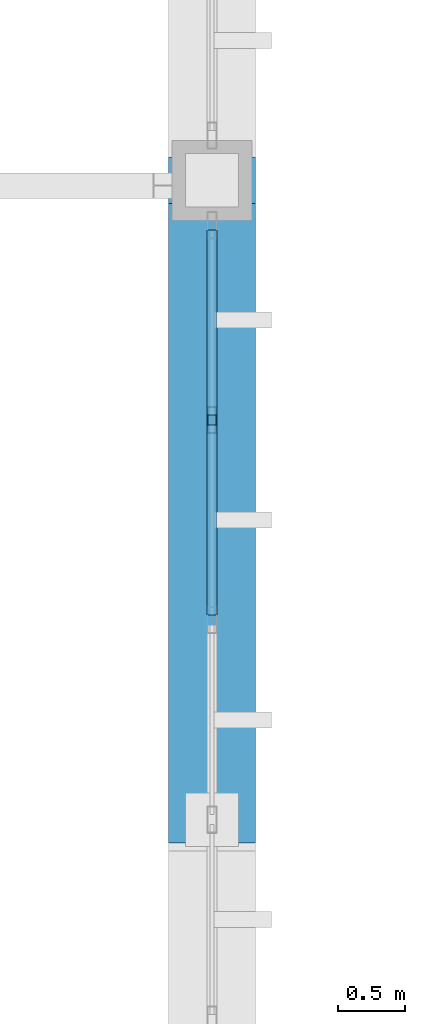
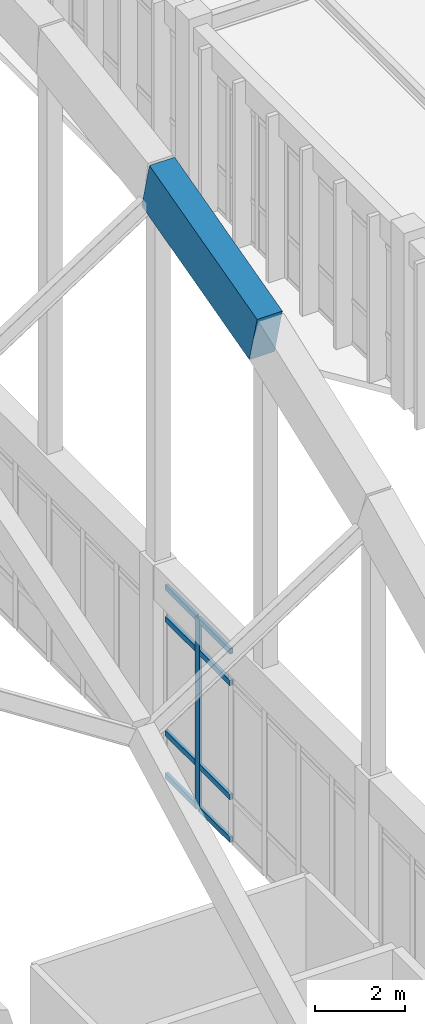
# One storey, part 131 of 236: 10 members, 1 element without a shape of its own.
"""IFC4 building model written with IfcOpenShell, lengths in metres."""

from ifc_helpers import new_model, si_unit, direction, frame, origin, origin_2d, place, context, subcontext, project, spatial, rectangle, hollow_rectangle, extrude, material, layer, layer_set, material_profile, profile_set, type_object, element, aggregate, save


model = new_model("IFC4")

# Units and contexts
model_context = context("Model", 3, precision=1e-05, world=origin(), true_north=direction((0.0, 1.0)))
body_context = subcontext(model_context, "Body", "Model", "MODEL_VIEW")
ifc_project = project(units=[si_unit("LENGTHUNIT", "METRE"), si_unit("AREAUNIT", "SQUARE_METRE"), si_unit("VOLUMEUNIT", "CUBIC_METRE"), si_unit("PLANEANGLEUNIT", "RADIAN"), si_unit("MASSUNIT", "GRAM", prefix="KILO")], contexts=[model_context])

# Site, building, storey
site_placement = place(None, origin())
site = spatial("IfcSite", under=ifc_project, at=site_placement, CompositionType="ELEMENT")
building_placement = place(site_placement, origin())
building = spatial("IfcBuilding", under=site, at=building_placement, Name="Pandanus Reach Market Hall", CompositionType="ELEMENT")
storey_placement = place(building_placement, frame((0.0, 0.0, 5.39990234375)))
storey = spatial("IfcBuildingStorey", under=building, at=storey_placement, Name="L01", CompositionType="ELEMENT", Elevation=5.39990234375)

# Member
ifc_material_1 = material(Name="Concrete N50 (50 MPa)", Category="concrete")
ifc_material_profile_1 = material_profile(ifc_material_1, rectangle(XDim=0.64990234375, YDim=1.35009765625, at=origin_2d()), Name="RC650x1350", Category="LoadBearing")
ifc_profile_set_1 = profile_set([ifc_material_profile_1], Name="Concrete N50 (50 MPa)")
member_type_1 = type_object("IfcMemberType", Name="AR-RC650-E", PredefinedType="CHORD", material=ifc_profile_set_1)
member_1_placement = place(storey_placement, frame((132.0, 43.199951171875, 14.68017578125), z_axis=(0.0, 0.966344166189, 0.257252701584), x_axis=(-1.0, 0.0, 0.0)))
element("IfcMember", 1, at=member_1_placement, inside=storey, type_object=member_type_1, Name="Parabolic arch top chord A8.4", PredefinedType="CHORD", context=body_context, shape_type="SweptSolid", body=[
    extrude(rectangle(XDim=0.64990234375, YDim=1.35009765625, at=origin_2d()), origin(), (0.0, 0.0, 1.0), 4.96728515625),
])

# Curtain wall, members
ifc_material_2 = material(Name="Bronze anodised aluminium and low-E glass", Category="aluminium")
ifc_layer = layer(ifc_material_2, 0.199951171875, Name="CW-05")
ifc_layer_set = layer_set([ifc_layer], Name="Bronze anodised aluminium and low-E glass")
curtain_wall_type = type_object("IfcCurtainWallType", Name="CW-05", PredefinedType="NOTDEFINED", material=ifc_layer_set)
curtain_wall_placement = place(storey_placement, origin())
curtain_wall = element("IfcCurtainWall", 2, at=curtain_wall_placement, inside=storey, type_object=curtain_wall_type, Name="Glazed curtain wall CW-05 CW-0023", PredefinedType="NOTDEFINED")
ifc_material_3 = material(Name="Bronze anodised aluminium", Category="aluminium")
ifc_material_profile_2 = material_profile(ifc_material_3, hollow_rectangle(XDim=0.074951171875, YDim=0.199951171875, WallThickness=0.00439453125, at=origin_2d()), Name="ALU75x200", Category="LoadBearing")
ifc_profile_set_2 = profile_set([ifc_material_profile_2], Name="Bronze anodised aluminium")
member_type_2 = type_object("IfcMemberType", Name="CW-M2", PredefinedType="MULLION", material=ifc_profile_set_2)
member_2_placement = place(storey_placement, frame((132.0, 46.199951171875, 0.0), z_axis=(0.0, 0.0, 1.0), x_axis=(-1.0, 0.0, 0.0)))
member_2 = element("IfcMember", 3, at=member_2_placement, type_object=member_type_2, Name="CW-05 mullion 6", PredefinedType="MULLION", context=body_context, shape_type="SweptSolid", body=[
    extrude(hollow_rectangle(XDim=0.074951171875, YDim=0.199951171875, WallThickness=0.00439453125, at=origin_2d()), origin(), (0.0, 0.0, 1.0), 5.2001953125),
])
ifc_material_profile_3 = material_profile(ifc_material_3, hollow_rectangle(XDim=0.074951171875, YDim=0.14990234375, WallThickness=0.00439453125, at=origin_2d()), Name="ALU75x150", Category="LoadBearing")
ifc_profile_set_3 = profile_set([ifc_material_profile_3], Name="Bronze anodised aluminium")
member_type_3 = type_object("IfcMemberType", Name="CW-T2", PredefinedType="USERDEFINED", material=ifc_profile_set_3)
member_3_placement = place(storey_placement, frame((132.0, 44.737548828125, 0.03759765625), z_axis=(0.0, 1.0, 0.0), x_axis=(-1.0, 0.0, 0.0)))
member_3 = element("IfcMember", 4, at=member_3_placement, type_object=member_type_3, Name="CW-05 transom 5.1", ObjectType="TRANSOM", PredefinedType="USERDEFINED", context=body_context, shape_type="SweptSolid", body=[
    extrude(hollow_rectangle(XDim=0.074951171875, YDim=0.14990234375, WallThickness=0.00439453125, at=origin_2d()), origin(), (0.0, 0.0, 1.0), 1.425048828125),
])
member_4_placement = place(storey_placement, frame((132.0, 44.737548828125, 1.2001953125), z_axis=(0.0, 1.0, 0.0), x_axis=(-1.0, 0.0, 0.0)))
member_4 = element("IfcMember", 5, at=member_4_placement, type_object=member_type_3, Name="CW-05 transom 5.2", ObjectType="TRANSOM", PredefinedType="USERDEFINED", context=body_context, shape_type="SweptSolid", body=[
    extrude(hollow_rectangle(XDim=0.074951171875, YDim=0.14990234375, WallThickness=0.00439453125, at=origin_2d()), origin(), (0.0, 0.0, 1.0), 1.425048828125),
])
member_5_placement = place(storey_placement, frame((132.0, 44.737548828125, 4.300048828125), z_axis=(0.0, 1.0, 0.0), x_axis=(-1.0, 0.0, 0.0)))
member_5 = element("IfcMember", 6, at=member_5_placement, type_object=member_type_3, Name="CW-05 transom 5.3", ObjectType="TRANSOM", PredefinedType="USERDEFINED", context=body_context, shape_type="SweptSolid", body=[
    extrude(hollow_rectangle(XDim=0.074951171875, YDim=0.14990234375, WallThickness=0.00439453125, at=origin_2d()), origin(), (0.0, 0.0, 1.0), 1.425048828125),
])
member_6_placement = place(storey_placement, frame((132.0, 44.737548828125, 5.16259765625), z_axis=(0.0, 1.0, 0.0), x_axis=(-1.0, 0.0, 0.0)))
member_6 = element("IfcMember", 7, at=member_6_placement, type_object=member_type_3, Name="CW-05 transom 5.4", ObjectType="TRANSOM", PredefinedType="USERDEFINED", context=body_context, shape_type="SweptSolid", body=[
    extrude(hollow_rectangle(XDim=0.074951171875, YDim=0.14990234375, WallThickness=0.00439453125, at=origin_2d()), origin(), (0.0, 0.0, 1.0), 1.425048828125),
])
member_7_placement = place(storey_placement, frame((132.0, 46.237548828125, 0.03759765625), z_axis=(0.0, 1.0, 0.0), x_axis=(-1.0, 0.0, 0.0)))
member_7 = element("IfcMember", 8, at=member_7_placement, type_object=member_type_3, Name="CW-05 transom 6.1", ObjectType="TRANSOM", PredefinedType="USERDEFINED", context=body_context, shape_type="SweptSolid", body=[
    extrude(hollow_rectangle(XDim=0.074951171875, YDim=0.14990234375, WallThickness=0.00439453125, at=origin_2d()), origin(), (0.0, 0.0, 1.0), 1.387451171875),
])
member_8_placement = place(storey_placement, frame((132.0, 46.237548828125, 1.2001953125), z_axis=(0.0, 1.0, 0.0), x_axis=(-1.0, 0.0, 0.0)))
member_8 = element("IfcMember", 9, at=member_8_placement, type_object=member_type_3, Name="CW-05 transom 6.2", ObjectType="TRANSOM", PredefinedType="USERDEFINED", context=body_context, shape_type="SweptSolid", body=[
    extrude(hollow_rectangle(XDim=0.074951171875, YDim=0.14990234375, WallThickness=0.00439453125, at=origin_2d()), origin(), (0.0, 0.0, 1.0), 1.387451171875),
])
member_9_placement = place(storey_placement, frame((132.0, 46.237548828125, 4.300048828125), z_axis=(0.0, 1.0, 0.0), x_axis=(-1.0, 0.0, 0.0)))
member_9 = element("IfcMember", 10, at=member_9_placement, type_object=member_type_3, Name="CW-05 transom 6.3", ObjectType="TRANSOM", PredefinedType="USERDEFINED", context=body_context, shape_type="SweptSolid", body=[
    extrude(hollow_rectangle(XDim=0.074951171875, YDim=0.14990234375, WallThickness=0.00439453125, at=origin_2d()), origin(), (0.0, 0.0, 1.0), 1.387451171875),
])
member_10_placement = place(storey_placement, frame((132.0, 46.237548828125, 5.16259765625), z_axis=(0.0, 1.0, 0.0), x_axis=(-1.0, 0.0, 0.0)))
member_10 = element("IfcMember", 11, at=member_10_placement, type_object=member_type_3, Name="CW-05 transom 6.4", ObjectType="TRANSOM", PredefinedType="USERDEFINED", context=body_context, shape_type="SweptSolid", body=[
    extrude(hollow_rectangle(XDim=0.074951171875, YDim=0.14990234375, WallThickness=0.00439453125, at=origin_2d()), origin(), (0.0, 0.0, 1.0), 1.387451171875),
])
aggregate(curtain_wall, [member_2, member_3, member_4, member_5, member_6, member_7, member_8, member_9, member_10])

save(model, "model.ifc")
